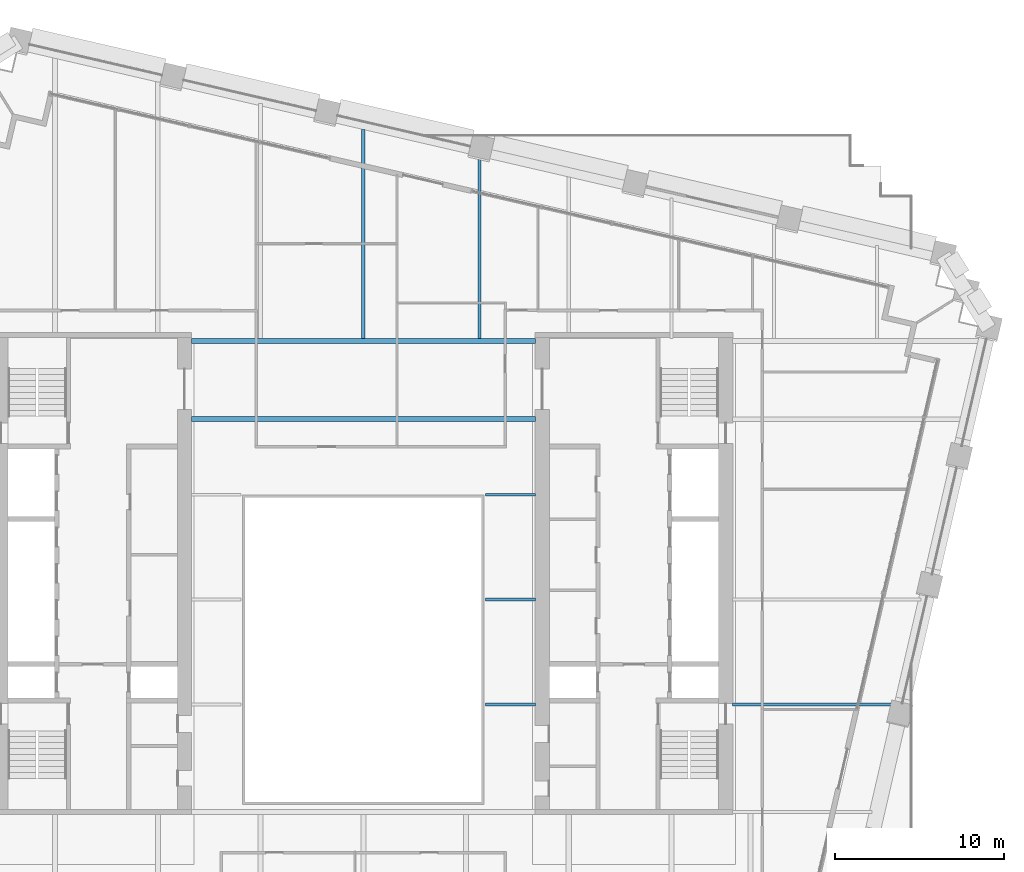
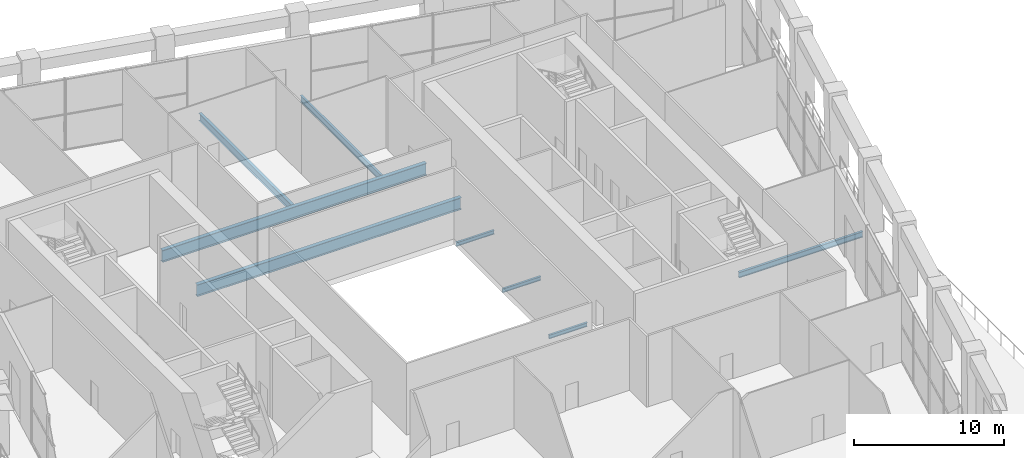
# One storey, part 7 of 23: 8 beams.
"""IFC4 building model written with IfcOpenShell, lengths in metres."""

from ifc_helpers import new_model, si_unit, direction, frame, origin, origin_2d, place, context, subcontext, project, spatial, i_section, extrude, material, material_profile, profile_set, type_object, element, save


model = new_model("IFC4")

# Units and contexts
model_context = context("Model", 3, precision=1e-05, world=origin(), true_north=direction((0.0, 1.0)))
body_context = subcontext(model_context, "Body", "Model", "MODEL_VIEW")
ifc_project = project(units=[si_unit("LENGTHUNIT", "METRE"), si_unit("AREAUNIT", "SQUARE_METRE"), si_unit("VOLUMEUNIT", "CUBIC_METRE"), si_unit("PLANEANGLEUNIT", "RADIAN"), si_unit("MASSUNIT", "GRAM", prefix="KILO")], contexts=[model_context])

# Site, building, storey
site_placement = place(None, origin())
site = spatial("IfcSite", under=ifc_project, at=site_placement, CompositionType="ELEMENT")
building_placement = place(site_placement, origin())
building = spatial("IfcBuilding", under=site, at=building_placement, Name="Ogive Exchange Tower", CompositionType="ELEMENT")
storey_placement = place(building_placement, frame((0.0, 0.0, 99.60009765625)))
storey = spatial("IfcBuildingStorey", under=building, at=storey_placement, Name="L21", CompositionType="ELEMENT", Elevation=99.60009765625)

# Beams
ifc_material = material(Name="Steel ASTM A992 Gr50", Category="steel")
ifc_material_profile_1 = material_profile(ifc_material, i_section(OverallWidth=0.300048828125, OverallDepth=0.969970703125, WebThickness=0.01611328125, FlangeThickness=0.02099609375, at=origin_2d()), Name="W1000x222")
ifc_profile_set_1 = profile_set([ifc_material_profile_1], Name="Steel ASTM A992 Gr50")
beam_type_1 = type_object("IfcBeamType", Name="Floor beam W1000x222", PredefinedType="JOIST", material=ifc_profile_set_1)
beam_1_placement = place(storey_placement, frame((-10.169921875, 20.62255859375, -0.93505859375), z_axis=(1.0, 0.0, 0.0), x_axis=(0.0, 1.0, 0.0)))
element("IfcBeam", 1, at=beam_1_placement, inside=storey, type_object=beam_type_1, Name="Floor beam", PredefinedType="JOIST", context=body_context, shape_type="SweptSolid", body=[
    extrude(i_section(OverallWidth=0.300048828125, OverallDepth=0.969970703125, WebThickness=0.01611328125, FlangeThickness=0.02099609375, at=origin_2d()), origin(), (0.0, 0.0, 1.0), 20.33984375),
])
ifc_material_profile_2 = material_profile(ifc_material, i_section(OverallWidth=0.1650390625, OverallDepth=0.31005859375, WebThickness=0.005859375, FlangeThickness=0.009765625, at=origin_2d()), Name="W310x38.7")
ifc_profile_set_2 = profile_set([ifc_material_profile_2], Name="Steel ASTM A992 Gr50")
beam_type_2 = type_object("IfcBeamType", Name="Floor beam W310x38.7", PredefinedType="JOIST", material=ifc_profile_set_2)
for number, where, z_axis, x_axis, name in (
    (2, (7.219970703125, 3.75830078125, -0.60498046875), (1.0, 0.0, 0.0), (0.0, 1.0, 0.0), "Floor beam"),
    (3, (7.219970703125, 9.956787109375, -0.60498046875), (1.0, 0.0, 0.0), (0.0, 1.0, 0.0), "Floor beam"),
):
    element("IfcBeam", number, at=place(storey_placement, frame(where, z_axis=z_axis, x_axis=x_axis)), inside=storey, type_object=beam_type_2, Name=name, PredefinedType="JOIST", context=body_context, shape_type="SweptSolid", body=[
        extrude(i_section(OverallWidth=0.1650390625, OverallDepth=0.31005859375, WebThickness=0.005859375, FlangeThickness=0.009765625, at=origin_2d()), origin(), (0.0, 0.0, 1.0), 2.949951171875),
    ])
ifc_material_profile_3 = material_profile(ifc_material, i_section(OverallWidth=0.19091796875, OverallDepth=0.45703125, WebThickness=0.009033203125, FlangeThickness=0.014404296875, at=origin_2d()), Name="W460x74")
ifc_profile_set_3 = profile_set([ifc_material_profile_3], Name="Steel ASTM A992 Gr50")
beam_type_3 = type_object("IfcBeamType", Name="Floor beam W460x74", PredefinedType="JOIST", material=ifc_profile_set_3)
beam_2_placement = place(storey_placement, frame((21.830078125, 3.75830078125, -0.6787109375), z_axis=(1.0, 0.0, 0.0), x_axis=(0.0, 1.0, 0.0)))
element("IfcBeam", 4, at=beam_2_placement, inside=storey, type_object=beam_type_3, Name="Floor beam", PredefinedType="JOIST", context=body_context, shape_type="SweptSolid", body=[
    extrude(i_section(OverallWidth=0.19091796875, OverallDepth=0.45703125, WebThickness=0.009033203125, FlangeThickness=0.014404296875, at=origin_2d()), origin(), (0.0, 0.0, 1.0), 9.5576171875),
])
ifc_material_profile_4 = material_profile(ifc_material, i_section(OverallWidth=0.1669921875, OverallDepth=0.535888671875, WebThickness=0.01025390625, FlangeThickness=0.0166015625, at=origin_2d()), Name="W530x85")
ifc_profile_set_4 = profile_set([ifc_material_profile_4], Name="Steel ASTM A992 Gr50")
beam_type_4 = type_object("IfcBeamType", Name="Floor beam W530x85", PredefinedType="JOIST", material=ifc_profile_set_4)
beam_3_placement = place(storey_placement, frame((6.873291015625, 25.39501953125, -0.718017578125), z_axis=(0.0, 1.0, 0.0), x_axis=(-1.0, 0.0, 0.0)))
element("IfcBeam", 5, at=beam_3_placement, inside=storey, type_object=beam_type_4, Name="Floor beam", PredefinedType="JOIST", context=body_context, shape_type="SweptSolid", body=[
    extrude(i_section(OverallWidth=0.1669921875, OverallDepth=0.535888671875, WebThickness=0.01025390625, FlangeThickness=0.0166015625, at=origin_2d()), origin(), (0.0, 0.0, 1.0), 10.76904296875),
])
ifc_material_profile_5 = material_profile(ifc_material, i_section(OverallWidth=0.22802734375, OverallDepth=0.60205078125, WebThickness=0.010498046875, FlangeThickness=0.014892578125, at=origin_2d()), Name="W610x101")
ifc_profile_set_5 = profile_set([ifc_material_profile_5], Name="Steel ASTM A992 Gr50")
beam_type_5 = type_object("IfcBeamType", Name="Floor beam W610x101", PredefinedType="JOIST", material=ifc_profile_set_5)
beam_4_placement = place(storey_placement, frame((0.0, 25.39501953125, -0.7509765625), z_axis=(0.0, 1.0, 0.0), x_axis=(-1.0, 0.0, 0.0)))
element("IfcBeam", 6, at=beam_4_placement, inside=storey, type_object=beam_type_5, Name="Floor beam", PredefinedType="JOIST", context=body_context, shape_type="SweptSolid", body=[
    extrude(i_section(OverallWidth=0.22802734375, OverallDepth=0.60205078125, WebThickness=0.010498046875, FlangeThickness=0.014892578125, at=origin_2d()), origin(), (0.0, 0.0, 1.0), 12.35595703125),
])
ifc_material_profile_6 = material_profile(ifc_material, i_section(OverallWidth=0.300048828125, OverallDepth=0.97998046875, WebThickness=0.0166015625, FlangeThickness=0.026123046875, at=origin_2d()), Name="W1000x249")
ifc_profile_set_6 = profile_set([ifc_material_profile_6], Name="Steel ASTM A992 Gr50")
beam_type_6 = type_object("IfcBeamType", Name="Girder W1000x249", PredefinedType="BEAM", material=ifc_profile_set_6)
beam_5_placement = place(storey_placement, frame((-10.169921875, 25.2451171875, -0.940185546875), z_axis=(1.0, 0.0, 0.0), x_axis=(0.0, 1.0, 0.0)))
element("IfcBeam", 7, at=beam_5_placement, inside=storey, type_object=beam_type_6, Name="Header girder", PredefinedType="BEAM", context=body_context, shape_type="SweptSolid", body=[
    extrude(i_section(OverallWidth=0.300048828125, OverallDepth=0.97998046875, WebThickness=0.0166015625, FlangeThickness=0.026123046875, at=origin_2d()), origin(), (0.0, 0.0, 1.0), 20.33984375),
])
ifc_material_profile_7 = material_profile(ifc_material, i_section(OverallWidth=0.1650390625, OverallDepth=0.31005859375, WebThickness=0.005859375, FlangeThickness=0.009765625, at=origin_2d()), Name="W310x38.7")
ifc_profile_set_7 = profile_set([ifc_material_profile_7], Name="Steel ASTM A992 Gr50")
beam_type_7 = type_object("IfcBeamType", Name="Girder W310x38.7", PredefinedType="BEAM", material=ifc_profile_set_7)
beam_6_placement = place(storey_placement, frame((7.219970703125, 16.155029296875, -0.60498046875), z_axis=(1.0, 0.0, 0.0), x_axis=(0.0, 1.0, 0.0)))
element("IfcBeam", 8, at=beam_6_placement, inside=storey, type_object=beam_type_7, Name="Trimmer girder", PredefinedType="BEAM", context=body_context, shape_type="SweptSolid", body=[
    extrude(i_section(OverallWidth=0.1650390625, OverallDepth=0.31005859375, WebThickness=0.005859375, FlangeThickness=0.009765625, at=origin_2d()), origin(), (0.0, 0.0, 1.0), 2.949951171875),
])

save(model, "model.ifc")
